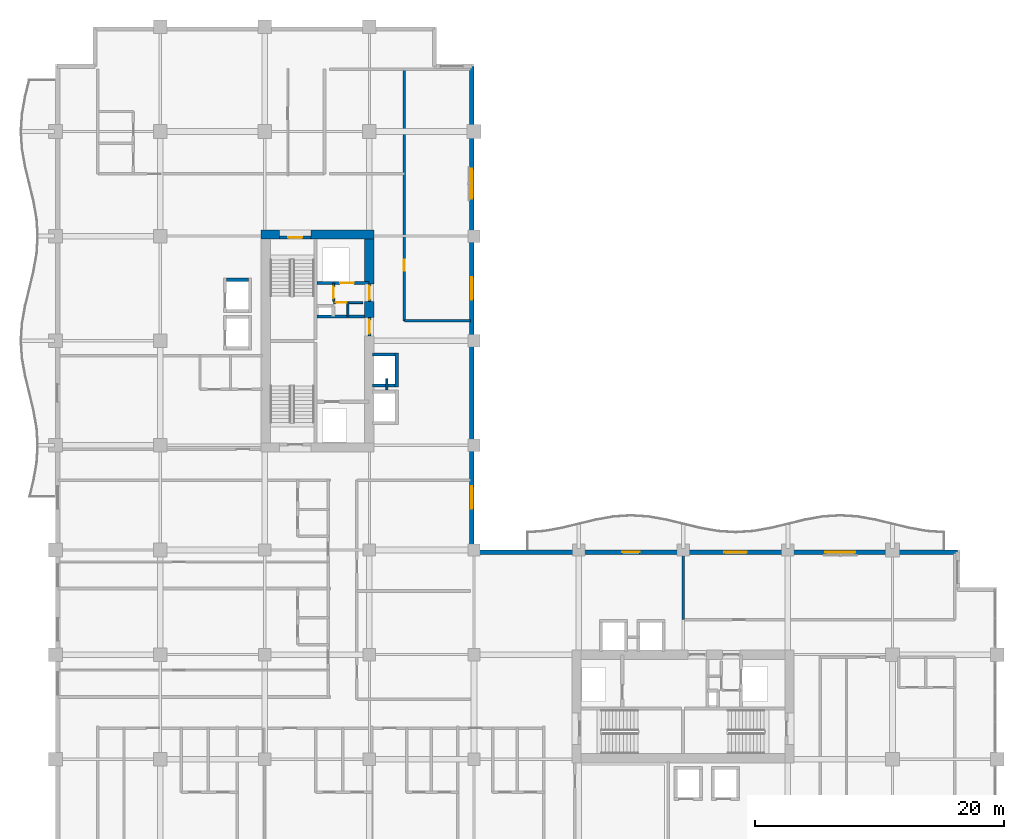
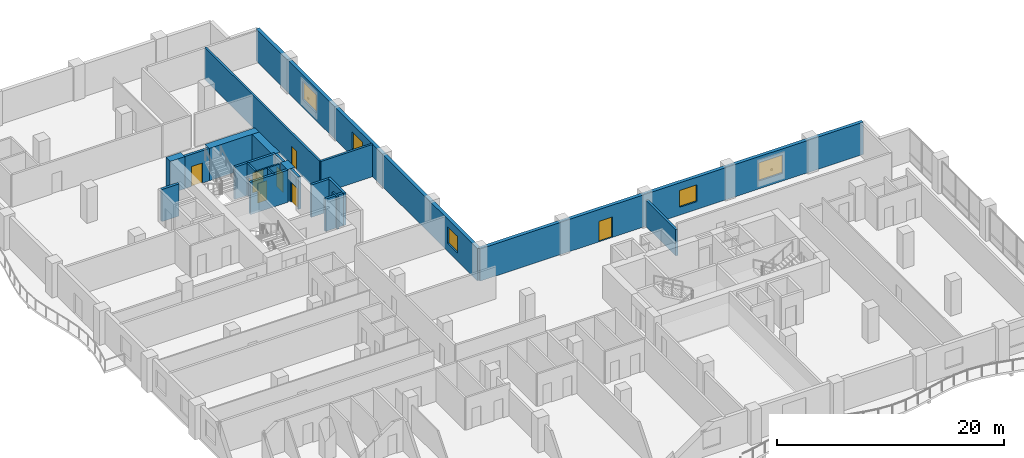
# One storey, part 14 of 22: 22 walls, 8 doors, 5 windows, 13 openings.
"""IFC4 building model written with IfcOpenShell, lengths in metres."""

from ifc_helpers import new_model, si_unit, direction, frame, frame_2d, origin, place, context, subcontext, project, spatial, rectangle, extrude, material, layer, layer_set, type_object, element, fill, save


model = new_model("IFC4")

# Units and contexts
model_context = context("Model", 3, precision=1e-05, world=origin(), true_north=direction((0.0, 1.0)))
body_context = subcontext(model_context, "Body", "Model", "MODEL_VIEW")
ifc_project = project(units=[si_unit("LENGTHUNIT", "METRE"), si_unit("AREAUNIT", "SQUARE_METRE"), si_unit("VOLUMEUNIT", "CUBIC_METRE"), si_unit("PLANEANGLEUNIT", "RADIAN"), si_unit("MASSUNIT", "GRAM", prefix="KILO")], contexts=[model_context])

# Site, building, storey
site_placement = place(None, origin())
site = spatial("IfcSite", under=ifc_project, at=site_placement, CompositionType="ELEMENT")
building_placement = place(site_placement, origin())
building = spatial("IfcBuilding", under=site, at=building_placement, Name="Koriwani Terraces Tower", CompositionType="ELEMENT")
storey_placement = place(building_placement, frame((0.0, 0.0, 182.800048828125)))
storey = spatial("IfcBuildingStorey", under=building, at=storey_placement, Name="L44", CompositionType="ELEMENT", Elevation=182.800048828125)

# Walls
ifc_material_1 = material(Name="Concrete C60/75", Category="concrete")
ifc_layer_1 = layer(ifc_material_1, 0.75, Name="Concrete C60/75")
ifc_layer_set_1 = layer_set([ifc_layer_1], Name="Concrete C60/75")
wall_type_1 = type_object("IfcWallType", Name="WALL_CORE_RC_750", PredefinedType="SHEAR", material=ifc_layer_set_1)
wall_1_placement = place(storey_placement, frame((16.5, 58.925048828125, 0.0), z_axis=(0.0, 0.0, 1.0), x_axis=(1.0, 0.0, 0.0)))
element("IfcWall", 1, at=wall_1_placement, inside=storey, type_object=wall_type_1, Name="L44 West Split Core Shear Wall N1", PredefinedType="SHEAR", context=body_context, shape_type="SweptSolid", body=[
    extrude(rectangle(XDim=1.5, YDim=0.75, at=frame_2d((0.75, 0.0))), origin(), (0.0, 0.0, 1.0), 3.469970703125),
])
wall_2_placement = place(storey_placement, frame((20.5, 58.925048828125, 0.0), z_axis=(0.0, 0.0, 1.0), x_axis=(1.0, 0.0, 0.0)))
element("IfcWall", 2, at=wall_2_placement, inside=storey, type_object=wall_type_1, Name="L44 West Split Core Shear Wall N2", PredefinedType="SHEAR", context=body_context, shape_type="SweptSolid", body=[
    extrude(rectangle(XDim=5.074951171875, YDim=0.75, at=frame_2d((2.53759765625, 0.0))), origin(), (0.0, 0.0, 1.0), 3.469970703125),
])
wall_3_placement = place(storey_placement, frame((25.199951171875, 52.280029296875, 0.0), z_axis=(0.0, 0.0, 1.0), x_axis=(0.0, 1.0, 0.0)))
element("IfcWall", 3, at=wall_3_placement, inside=storey, type_object=wall_type_1, Name="L44 West Split Core Shear Wall E2", PredefinedType="SHEAR", context=body_context, shape_type="SweptSolid", body=[
    extrude(rectangle(XDim=1.27001953125, YDim=0.75, at=frame_2d((0.635009765625, 0.0))), origin(), (0.0, 0.0, 1.0), 3.469970703125),
])
wall_4_placement = place(storey_placement, frame((25.199951171875, 54.949951171875, 0.0), z_axis=(0.0, 0.0, 1.0), x_axis=(0.0, 1.0, 0.0)))
element("IfcWall", 4, at=wall_4_placement, inside=storey, type_object=wall_type_1, Name="L44 West Split Core Shear Wall E3", PredefinedType="SHEAR", context=body_context, shape_type="SweptSolid", body=[
    extrude(rectangle(XDim=3.60009765625, YDim=0.75, at=frame_2d((1.800048828125, 0.0))), origin(), (0.0, 0.0, 1.0), 3.469970703125),
])

# Wall, opening, door
ifc_material_2 = material(Name="Autoclaved Cellular Concrete Blockwork", Category="masonry")
ifc_layer_2 = layer(ifc_material_2, 0.199951171875, Name="Autoclaved Cellular Concrete Blockwork")
ifc_layer_set_2 = layer_set([ifc_layer_2], Name="Autoclaved Cellular Concrete Blockwork")
wall_type_2 = type_object("IfcWallType", Name="WALL_CORRIDOR_200", PredefinedType="PARTITIONING", material=ifc_layer_set_2)
wall_5_placement = place(storey_placement, frame((28.0, 52.0, 0.0), z_axis=(0.0, 0.0, 1.0), x_axis=(0.0, 1.0, 0.0)))
wall_5 = element("IfcWall", 5, at=wall_5_placement, inside=storey, type_object=wall_type_2, Name="L44 Interior Wall WNWT2-W-L44", PredefinedType="PARTITIONING", context=body_context, shape_type="SweptSolid", body=[
    extrude(rectangle(XDim=20.199951171875, YDim=0.199951171875, at=frame_2d((10.10009765625, 0.0))), origin(), (0.0, 0.0, 1.0), 3.469970703125),
])
opening_1_placement = place(wall_5_placement, frame((4.0, 0.0, 0.0)))
opening_1 = element("IfcOpeningElement", 6, at=opening_1_placement, cuts=wall_5, Name="Opening D-06", PredefinedType="OPENING", context=body_context, shape_type="SweptSolid", body=[
    extrude(rectangle(XDim=0.919921875, YDim=2.10009765625, at=frame_2d((0.4599609375, 1.050048828125))), frame((0.0, 0.10986328125, 0.0), z_axis=(0.0, -1.0, 0.0), x_axis=(1.0, 0.0, 0.0)), (0.0, 0.0, 1.0), 0.219970703125),
])
ifc_material_3 = material(Name="Architectural Oak Fire Door", Category="wood")
door_type_1 = type_object("IfcDoorType", Name="DOOR_ROOM_INT_920X2100", OperationType="NOTDEFINED", PredefinedType="DOOR", material=ifc_material_3)
door_1_placement = place(opening_1_placement, origin())
door_1 = element("IfcDoor", 7, at=door_1_placement, inside=storey, type_object=door_type_1, Name="L44 North Court Lounge Door", OperationType="SINGLE_SWING_RIGHT", OverallHeight=2.10009765625, OverallWidth=0.919921875, PredefinedType="DOOR", context=body_context, shape_type="SweptSolid", body=[
    extrude(rectangle(XDim=0.919921875, YDim=2.10009765625, at=frame_2d((0.4599609375, 1.050048828125))), frame((0.0, 0.02490234375, 0.0), z_axis=(0.0, -1.0, 0.0), x_axis=(1.0, 0.0, 0.0)), (0.0, 0.0, 1.0), 0.050048828125),
])
fill(opening_1, door_1)

# Walls
ifc_layer_3 = layer(ifc_material_2, 0.219970703125, Name="Autoclaved Cellular Concrete Blockwork")
ifc_layer_set_3 = layer_set([ifc_layer_3], Name="Autoclaved Cellular Concrete Blockwork")
wall_type_3 = type_object("IfcWallType", Name="WALL_DEMISING_220", PredefinedType="PARTITIONING", material=ifc_layer_set_3)
wall_6_placement = place(storey_placement, frame((28.0, 52.0, 0.0), z_axis=(0.0, 0.0, 1.0), x_axis=(1.0, 0.0, 0.0)))
element("IfcWall", 8, at=wall_6_placement, inside=storey, type_object=wall_type_3, Name="L44 Interior Wall WNWT2-S-L44", PredefinedType="PARTITIONING", context=body_context, shape_type="SweptSolid", body=[
    extrude(rectangle(XDim=5.300048828125, YDim=0.219970703125, at=frame_2d((2.64990234375, 0.0))), origin(), (0.0, 0.0, 1.0), 3.469970703125),
])
wall_7_placement = place(storey_placement, frame((50.39990234375, 28.0, 0.0), z_axis=(0.0, 0.0, 1.0), x_axis=(0.0, 1.0, 0.0)))
element("IfcWall", 9, at=wall_7_placement, inside=storey, type_object=wall_type_3, Name="L44 Interior Wall WSEC-W-L44", PredefinedType="PARTITIONING", context=body_context, shape_type="SweptSolid", body=[
    extrude(rectangle(XDim=5.300048828125, YDim=0.219970703125, at=frame_2d((2.64990234375, 0.0))), origin(), (0.0, 0.0, 1.0), 2.820068359375),
])

# Wall, openings, windows
ifc_material_4 = material(Name="Concrete C50/60", Category="concrete")
ifc_layer_4 = layer(ifc_material_4, 0.35009765625, Name="Concrete C50/60")
ifc_layer_set_4 = layer_set([ifc_layer_4], Name="Concrete C50/60")
wall_type_4 = type_object("IfcWallType", Name="WALL_EXT_BRUTALIST_350", PredefinedType="STANDARD", material=ifc_layer_set_4)
wall_8_placement = place(storey_placement, frame((33.425048828125, 72.425048828125, 0.0), z_axis=(0.0, 0.0, 1.0), x_axis=(0.0, -1.0, 0.0)))
wall_8 = element("IfcWall", 10, at=wall_8_placement, inside=storey, type_object=wall_type_4, Name="L44 Fair-Faced Brutalist Exterior Wall (NW_IN)", PredefinedType="STANDARD", context=body_context, shape_type="SweptSolid", body=[
    extrude(rectangle(XDim=39.0, YDim=0.35009765625, at=frame_2d((19.5, 0.0))), origin(), (0.0, 0.0, 1.0), 3.469970703125),
])
opening_2_placement = place(wall_8_placement, frame((33.72509765625, 0.0, 0.85009765625)))
opening_2 = element("IfcOpeningElement", 11, at=opening_2_placement, cuts=wall_8, Name="Opening W-04", PredefinedType="OPENING", context=body_context, shape_type="SweptSolid", body=[
    extrude(rectangle(XDim=1.800048828125, YDim=1.800048828125, at=frame_2d((0.89990234375, 0.89990234375))), frame((0.0, 0.18505859375, 0.0), z_axis=(0.0, -1.0, 0.0), x_axis=(1.0, 0.0, 0.0)), (0.0, 0.0, 1.0), 0.3701171875),
])
opening_3_placement = place(wall_8_placement, frame((16.925048828125, 0.0, 0.85009765625)))
opening_3 = element("IfcOpeningElement", 12, at=opening_3_placement, cuts=wall_8, Name="Opening W-04", PredefinedType="OPENING", context=body_context, shape_type="SweptSolid", body=[
    extrude(rectangle(XDim=1.800048828125, YDim=1.800048828125, at=frame_2d((0.89990234375, 0.89990234375))), frame((0.0, 0.18505859375, 0.0), z_axis=(0.0, -1.0, 0.0), x_axis=(1.0, 0.0, 0.0)), (0.0, 0.0, 1.0), 0.3701171875),
])
opening_4_placement = place(wall_8_placement, frame((8.22509765625, 0.0, 0.85009765625)))
opening_4 = element("IfcOpeningElement", 13, at=opening_4_placement, cuts=wall_8, Name="Opening W-03", PredefinedType="OPENING", context=body_context, shape_type="SweptSolid", body=[
    extrude(rectangle(XDim=2.39990234375, YDim=1.949951171875, at=frame_2d((1.199951171875, 0.97509765625))), frame((0.0, 0.18505859375, 0.0), z_axis=(0.0, -1.0, 0.0), x_axis=(1.0, 0.0, 0.0)), (0.0, 0.0, 1.0), 0.3701171875),
])
ifc_material_5 = material(Name="Tempered Laminated Low-E Glass", Category="glass")
window_type_1 = type_object("IfcWindowType", Name="WIN_RES_BED_1800X1800", PartitioningType="DOUBLE_PANEL_VERTICAL", PredefinedType="WINDOW", material=ifc_material_5)
window_1_placement = place(opening_2_placement, origin())
window_1 = element("IfcWindow", 14, at=window_1_placement, inside=storey, type_object=window_type_1, Name="L44 Exterior Window (NW_IN-2)", OverallHeight=1.800048828125, OverallWidth=1.800048828125, PartitioningType="SINGLE_PANEL", PredefinedType="WINDOW", context=body_context, shape_type="SweptSolid", body=[
    extrude(rectangle(XDim=1.800048828125, YDim=1.800048828125, at=frame_2d((0.89990234375, 0.89990234375))), frame((0.0, 0.030029296875, 0.0), z_axis=(0.0, -1.0, 0.0), x_axis=(1.0, 0.0, 0.0)), (0.0, 0.0, 1.0), 0.06005859375),
])
fill(opening_2, window_1)
window_2_placement = place(opening_3_placement, origin())
window_2 = element("IfcWindow", 15, at=window_2_placement, inside=storey, type_object=window_type_1, Name="L44 Exterior Window (NW_IN-8)", OverallHeight=1.800048828125, OverallWidth=1.800048828125, PartitioningType="SINGLE_PANEL", PredefinedType="WINDOW", context=body_context, shape_type="SweptSolid", body=[
    extrude(rectangle(XDim=1.800048828125, YDim=1.800048828125, at=frame_2d((0.89990234375, 0.89990234375))), frame((0.0, 0.030029296875, 0.0), z_axis=(0.0, -1.0, 0.0), x_axis=(1.0, 0.0, 0.0)), (0.0, 0.0, 1.0), 0.06005859375),
])
fill(opening_3, window_2)
window_type_2 = type_object("IfcWindowType", Name="WIN_RES_LIVING_2400X1950", PartitioningType="DOUBLE_PANEL_VERTICAL", PredefinedType="WINDOW", material=ifc_material_5)
window_3_placement = place(opening_4_placement, origin())
window_3 = element("IfcWindow", 16, at=window_3_placement, inside=storey, type_object=window_type_2, Name="L44 Exterior Window (NW_IN-11)", OverallHeight=1.949951171875, OverallWidth=2.39990234375, PartitioningType="SINGLE_PANEL", PredefinedType="WINDOW", context=body_context, shape_type="SweptSolid", body=[
    extrude(rectangle(XDim=2.39990234375, YDim=1.949951171875, at=frame_2d((1.199951171875, 0.97509765625))), frame((0.0, 0.030029296875, 0.0), z_axis=(0.0, -1.0, 0.0), x_axis=(1.0, 0.0, 0.0)), (0.0, 0.0, 1.0), 0.06005859375),
])
fill(opening_4, window_3)

# Wall, openings, door, windows
wall_9_placement = place(storey_placement, frame((33.425048828125, 33.425048828125, 0.0), z_axis=(0.0, 0.0, 1.0), x_axis=(1.0, 0.0, 0.0)))
wall_9 = element("IfcWall", 17, at=wall_9_placement, inside=storey, type_object=wall_type_4, Name="L44 Fair-Faced Brutalist Exterior Wall (NE)", PredefinedType="STANDARD", context=body_context, shape_type="SweptSolid", body=[
    extrude(rectangle(XDim=39.0, YDim=0.35009765625, at=frame_2d((19.5, 0.0))), origin(), (0.0, 0.0, 1.0), 3.469970703125),
])
opening_5_placement = place(wall_9_placement, frame((12.074951171875, 0.0, 0.0)))
opening_5 = element("IfcOpeningElement", 18, at=opening_5_placement, cuts=wall_9, Name="Opening D-09", PredefinedType="OPENING", context=body_context, shape_type="SweptSolid", body=[
    extrude(rectangle(XDim=1.39990234375, YDim=2.199951171875, at=frame_2d((0.699951171875, 1.10009765625))), frame((0.0, 0.18505859375, 0.0), z_axis=(0.0, -1.0, 0.0), x_axis=(1.0, 0.0, 0.0)), (0.0, 0.0, 1.0), 0.3701171875),
])
opening_6_placement = place(wall_9_placement, frame((20.27490234375, 0.0, 0.85009765625)))
opening_6 = element("IfcOpeningElement", 19, at=opening_6_placement, cuts=wall_9, Name="Opening W-04", PredefinedType="OPENING", context=body_context, shape_type="SweptSolid", body=[
    extrude(rectangle(XDim=1.800048828125, YDim=1.800048828125, at=frame_2d((0.89990234375, 0.89990234375))), frame((0.0, 0.18505859375, 0.0), z_axis=(0.0, -1.0, 0.0), x_axis=(1.0, 0.0, 0.0)), (0.0, 0.0, 1.0), 0.3701171875),
])
opening_7_placement = place(wall_9_placement, frame((28.375, 0.0, 0.85009765625)))
opening_7 = element("IfcOpeningElement", 20, at=opening_7_placement, cuts=wall_9, Name="Opening W-03", PredefinedType="OPENING", context=body_context, shape_type="SweptSolid", body=[
    extrude(rectangle(XDim=2.39990234375, YDim=1.949951171875, at=frame_2d((1.199951171875, 0.97509765625))), frame((0.0, 0.18505859375, 0.0), z_axis=(0.0, -1.0, 0.0), x_axis=(1.0, 0.0, 0.0)), (0.0, 0.0, 1.0), 0.3701171875),
])
ifc_material_6 = material(Name="Anodised Bronze Aluminium", Category="aluminium")
door_type_2 = type_object("IfcDoorType", Name="DOOR_BALCONY_GLAZED_1400X2200", OperationType="NOTDEFINED", PredefinedType="DOOR", material=ifc_material_6)
door_2_placement = place(opening_5_placement, origin())
door_2 = element("IfcDoor", 21, at=door_2_placement, inside=storey, type_object=door_type_2, Name="L44 Inner Court Balcony Glazed Door", OperationType="SINGLE_SWING_LEFT", OverallHeight=2.199951171875, OverallWidth=1.39990234375, PredefinedType="DOOR", context=body_context, shape_type="SweptSolid", body=[
    extrude(rectangle(XDim=1.39990234375, YDim=2.199951171875, at=frame_2d((0.699951171875, 1.10009765625))), frame((0.0, 0.02490234375, 0.0), z_axis=(0.0, -1.0, 0.0), x_axis=(1.0, 0.0, 0.0)), (0.0, 0.0, 1.0), 0.050048828125),
])
fill(opening_5, door_2)
window_4_placement = place(opening_6_placement, origin())
window_4 = element("IfcWindow", 22, at=window_4_placement, inside=storey, type_object=window_type_1, Name="L44 Exterior Window (NE-8)", OverallHeight=1.800048828125, OverallWidth=1.800048828125, PartitioningType="SINGLE_PANEL", PredefinedType="WINDOW", context=body_context, shape_type="SweptSolid", body=[
    extrude(rectangle(XDim=1.800048828125, YDim=1.800048828125, at=frame_2d((0.89990234375, 0.89990234375))), frame((0.0, 0.030029296875, 0.0), z_axis=(0.0, -1.0, 0.0), x_axis=(1.0, 0.0, 0.0)), (0.0, 0.0, 1.0), 0.06005859375),
])
fill(opening_6, window_4)
window_5_placement = place(opening_7_placement, origin())
window_5 = element("IfcWindow", 23, at=window_5_placement, inside=storey, type_object=window_type_2, Name="L44 Exterior Window (NE-11)", OverallHeight=1.949951171875, OverallWidth=2.39990234375, PartitioningType="SINGLE_PANEL", PredefinedType="WINDOW", context=body_context, shape_type="SweptSolid", body=[
    extrude(rectangle(XDim=2.39990234375, YDim=1.949951171875, at=frame_2d((1.199951171875, 0.97509765625))), frame((0.0, 0.030029296875, 0.0), z_axis=(0.0, -1.0, 0.0), x_axis=(1.0, 0.0, 0.0)), (0.0, 0.0, 1.0), 0.06005859375),
])
fill(opening_7, window_5)

# Wall, opening, door
ifc_material_7 = material(Name="Concrete C40/50", Category="concrete")
ifc_layer_5 = layer(ifc_material_7, 0.25, Name="Concrete C40/50")
ifc_layer_set_5 = layer_set([ifc_layer_5], Name="Concrete C40/50")
wall_type_5 = type_object("IfcWallType", Name="WALL_SHAFT_RATED_250", PredefinedType="SOLIDWALL", material=ifc_layer_set_5)
wall_10_placement = place(storey_placement, frame((18.0, 58.675048828125, 0.0), z_axis=(0.0, 0.0, 1.0), x_axis=(1.0, 0.0, 0.0)))
wall_10 = element("IfcWall", 24, at=wall_10_placement, inside=storey, type_object=wall_type_5, Name="L44 Interior Wall WIN-CW-L44-STN", PredefinedType="SOLIDWALL", context=body_context, shape_type="SweptSolid", body=[
    extrude(rectangle(XDim=2.5, YDim=0.25, at=frame_2d((1.25, 0.0))), origin(), (0.0, 0.0, 1.0), 3.469970703125),
])
opening_8_placement = place(wall_10_placement, frame((0.699951171875, 0.0, 0.0)))
opening_8 = element("IfcOpeningElement", 25, at=opening_8_placement, cuts=wall_10, Name="Opening D-03", PredefinedType="OPENING", context=body_context, shape_type="SweptSolid", body=[
    extrude(rectangle(XDim=1.10009765625, YDim=2.14990234375, at=frame_2d((0.550048828125, 1.074951171875))), frame((0.0, 0.135009765625, 0.0), z_axis=(0.0, -1.0, 0.0), x_axis=(1.0, 0.0, 0.0)), (0.0, 0.0, 1.0), 0.27001953125),
])
ifc_material_8 = material(Name="Steel ASTM A572 Grade 50", Category="steel")
door_type_3 = type_object("IfcDoorType", Name="DOOR_STAIR_FIRE_1100X2150", OperationType="NOTDEFINED", PredefinedType="DOOR", material=ifc_material_8)
door_3_placement = place(opening_8_placement, origin())
door_3 = element("IfcDoor", 26, at=door_3_placement, inside=storey, type_object=door_type_3, Name="L44 Exit Stair ST-W2 Door", OperationType="SINGLE_SWING_LEFT", OverallHeight=2.14990234375, OverallWidth=1.10009765625, PredefinedType="DOOR", context=body_context, shape_type="SweptSolid", body=[
    extrude(rectangle(XDim=1.10009765625, YDim=2.14990234375, at=frame_2d((0.550048828125, 1.074951171875))), frame((0.0, 0.02490234375, 0.0), z_axis=(0.0, -1.0, 0.0), x_axis=(1.0, 0.0, 0.0)), (0.0, 0.0, 1.0), 0.050048828125),
])
fill(opening_8, door_3)

wall_11_placement = place(storey_placement, frame((25.199951171875, 50.800048828125, 0.0), z_axis=(0.0, 0.0, 1.0), x_axis=(0.0, 1.0, 0.0)))
wall_11 = element("IfcWall", 27, at=wall_11_placement, inside=storey, type_object=wall_type_5, Name="L44 Interior Wall WIN-CW-L44-EP", PredefinedType="SOLIDWALL", context=body_context, shape_type="SweptSolid", body=[
    extrude(rectangle(XDim=1.47998046875, YDim=0.25, at=frame_2d((0.739990234375, 0.0))), origin(), (0.0, 0.0, 1.0), 3.469970703125),
])
opening_9_placement = place(wall_11_placement, frame((0.179931640625, 0.0, 0.0)))
opening_9 = element("IfcOpeningElement", 28, at=opening_9_placement, cuts=wall_11, Name="Opening D-03", PredefinedType="OPENING", context=body_context, shape_type="SweptSolid", body=[
    extrude(rectangle(XDim=1.10009765625, YDim=2.14990234375, at=frame_2d((0.550048828125, 1.074951171875))), frame((0.0, 0.135009765625, 0.0), z_axis=(0.0, -1.0, 0.0), x_axis=(1.0, 0.0, 0.0)), (0.0, 0.0, 1.0), 0.27001953125),
])
door_4_placement = place(opening_9_placement, origin())
door_4 = element("IfcDoor", 29, at=door_4_placement, inside=storey, type_object=door_type_3, Name="L44 West Firefighting Lobby Door", OperationType="SINGLE_SWING_RIGHT", OverallHeight=2.14990234375, OverallWidth=1.10009765625, PredefinedType="DOOR", context=body_context, shape_type="SweptSolid", body=[
    extrude(rectangle(XDim=1.10009765625, YDim=2.14990234375, at=frame_2d((0.550048828125, 1.074951171875))), frame((0.0, 0.02490234375, 0.0), z_axis=(0.0, -1.0, 0.0), x_axis=(1.0, 0.0, 0.0)), (0.0, 0.0, 1.0), 0.050048828125),
])
fill(opening_9, door_4)

# Wall
wall_12_placement = place(storey_placement, frame((21.0, 52.340087890625, 0.0), z_axis=(0.0, 0.0, 1.0), x_axis=(1.0, 0.0, 0.0)))
element("IfcWall", 30, at=wall_12_placement, inside=storey, type_object=wall_type_5, Name="L44 Interior Wall WIN-CW-L44-FFN", PredefinedType="SOLIDWALL", context=body_context, shape_type="SweptSolid", body=[
    extrude(rectangle(XDim=3.824951171875, YDim=0.25, at=frame_2d((1.91259765625, 0.0))), origin(), (0.0, 0.0, 1.0), 3.469970703125),
])

# Wall, opening, door
wall_13_placement = place(storey_placement, frame((21.0, 55.050048828125, 0.0), z_axis=(0.0, 0.0, 1.0), x_axis=(1.0, 0.0, 0.0)))
wall_13 = element("IfcWall", 31, at=wall_13_placement, inside=storey, type_object=wall_type_5, Name="L44 Interior Wall WIN-CW-L44-SE", PredefinedType="SOLIDWALL", context=body_context, shape_type="SweptSolid", body=[
    extrude(rectangle(XDim=4.14990234375, YDim=0.25, at=frame_2d((2.074951171875, 0.0))), origin(), (0.0, 0.0, 1.0), 3.469970703125),
])
opening_10_placement = place(wall_13_placement, frame((1.85009765625, 0.0, 0.0)))
opening_10 = element("IfcOpeningElement", 32, at=opening_10_placement, cuts=wall_13, Name="Opening LD-01", PredefinedType="OPENING", context=body_context, shape_type="SweptSolid", body=[
    extrude(rectangle(XDim=1.10009765625, YDim=2.14990234375, at=frame_2d((0.550048828125, 1.074951171875))), frame((0.0, 0.135009765625, 0.0), z_axis=(0.0, -1.0, 0.0), x_axis=(1.0, 0.0, 0.0)), (0.0, 0.0, 1.0), 0.27001953125),
])
door_type_4 = type_object("IfcDoorType", Name="DOOR_LIFT_LANDING_1100X2200", OperationType="NOTDEFINED", PredefinedType="DOOR", material=ifc_material_8)
door_5_placement = place(opening_10_placement, origin())
door_5 = element("IfcDoor", 33, at=door_5_placement, inside=storey, type_object=door_type_4, Name="L44 Goods Lift SE-01 Landing Door", OperationType="SLIDING_TO_LEFT", OverallHeight=2.14990234375, OverallWidth=1.10009765625, PredefinedType="DOOR", context=body_context, shape_type="SweptSolid", body=[
    extrude(rectangle(XDim=1.10009765625, YDim=2.14990234375, at=frame_2d((0.550048828125, 1.074951171875))), frame((0.0, 0.02490234375, 0.0), z_axis=(0.0, -1.0, 0.0), x_axis=(1.0, 0.0, 0.0)), (0.0, 0.0, 1.0), 0.050048828125),
])
fill(opening_10, door_5)

wall_14_placement = place(storey_placement, frame((25.199951171875, 53.550048828125, 0.0), z_axis=(0.0, 0.0, 1.0), x_axis=(0.0, 1.0, 0.0)))
wall_14 = element("IfcWall", 34, at=wall_14_placement, inside=storey, type_object=wall_type_5, Name="L44 Interior Wall WIN-CW-L44-EP2", PredefinedType="SOLIDWALL", context=body_context, shape_type="SweptSolid", body=[
    extrude(rectangle(XDim=1.39990234375, YDim=0.25, at=frame_2d((0.699951171875, 0.0))), origin(), (0.0, 0.0, 1.0), 3.469970703125),
])
opening_11_placement = place(wall_14_placement, frame((0.14990234375, 0.0, 0.0)))
opening_11 = element("IfcOpeningElement", 35, at=opening_11_placement, cuts=wall_14, Name="Opening D-03", PredefinedType="OPENING", context=body_context, shape_type="SweptSolid", body=[
    extrude(rectangle(XDim=1.10009765625, YDim=2.14990234375, at=frame_2d((0.550048828125, 1.074951171875))), frame((0.0, 0.135009765625, 0.0), z_axis=(0.0, -1.0, 0.0), x_axis=(1.0, 0.0, 0.0)), (0.0, 0.0, 1.0), 0.27001953125),
])
door_6_placement = place(opening_11_placement, origin())
door_6 = element("IfcDoor", 36, at=door_6_placement, inside=storey, type_object=door_type_3, Name="L44 West Goods Lift Lobby Door", OperationType="SINGLE_SWING_LEFT", OverallHeight=2.14990234375, OverallWidth=1.10009765625, PredefinedType="DOOR", context=body_context, shape_type="SweptSolid", body=[
    extrude(rectangle(XDim=1.10009765625, YDim=2.14990234375, at=frame_2d((0.550048828125, 1.074951171875))), frame((0.0, 0.02490234375, 0.0), z_axis=(0.0, -1.0, 0.0), x_axis=(1.0, 0.0, 0.0)), (0.0, 0.0, 1.0), 0.050048828125),
])
fill(opening_11, door_6)

# Walls
wall_15_placement = place(storey_placement, frame((13.72509765625, 55.300048828125, 0.0), z_axis=(0.0, 0.0, 1.0), x_axis=(1.0, 0.0, 0.0)))
element("IfcWall", 37, at=wall_15_placement, inside=storey, type_object=wall_type_5, Name="L44 Interior Wall WIN-LF-PE-M2-L44-N", PredefinedType="SOLIDWALL", context=body_context, shape_type="SweptSolid", body=[
    extrude(rectangle(XDim=1.75, YDim=0.25, at=frame_2d((0.875, 0.0))), origin(), (0.0, 0.0, 1.0), 3.469970703125),
])
wall_16_placement = place(storey_placement, frame((27.39990234375, 46.675048828125, 0.0), z_axis=(0.0, 0.0, 1.0), x_axis=(0.0, 1.0, 0.0)))
element("IfcWall", 38, at=wall_16_placement, inside=storey, type_object=wall_type_5, Name="L44 Interior Wall WIN-LF-PE-H2-L44-F", PredefinedType="SOLIDWALL", context=body_context, shape_type="SweptSolid", body=[
    extrude(rectangle(XDim=2.75, YDim=0.25, at=frame_2d((1.375, 0.0))), origin(), (0.0, 0.0, 1.0), 3.469970703125),
])
for number, where, z_axis, x_axis, name in (
    (39, (25.449951171875, 46.800048828125, 0.0), (0.0, 0.0, 1.0), (1.0, 0.0, 0.0), "L44 Interior Wall WIN-LF-PE-H2-L44-S"),
    (40, (25.449951171875, 49.300048828125, 0.0), (0.0, 0.0, 1.0), (1.0, 0.0, 0.0), "L44 Interior Wall WIN-LF-PE-H2-L44-N"),
):
    element("IfcWall", number, at=place(storey_placement, frame(where, z_axis=z_axis, x_axis=x_axis)), inside=storey, type_object=wall_type_5, Name=name, PredefinedType="SOLIDWALL", context=body_context, shape_type="SweptSolid", body=[
        extrude(rectangle(XDim=1.824951171875, YDim=0.25, at=frame_2d((0.91259765625, 0.0))), origin(), (0.0, 0.0, 1.0), 3.469970703125),
    ])

# Wall, opening, door
ifc_material_9 = material(Name="Fire-Rated Acoustic Gypsum Partition", Category="masonry")
ifc_layer_6 = layer(ifc_material_9, 0.159912109375, Name="Fire-Rated Acoustic Gypsum Partition")
ifc_layer_set_6 = layer_set([ifc_layer_6], Name="Fire-Rated Acoustic Gypsum Partition")
wall_type_6 = type_object("IfcWallType", Name="WALL_SUITE_160", PredefinedType="PARTITIONING", material=ifc_layer_set_6)
wall_17_placement = place(storey_placement, frame((22.320068359375, 53.56005859375, 0.0), z_axis=(0.0, 0.0, 1.0), x_axis=(0.0, 1.0, 0.0)))
wall_17 = element("IfcWall", 41, at=wall_17_placement, inside=storey, type_object=wall_type_6, Name="L44 Interior Wall WIN-CW-L44-SV2A", PredefinedType="PARTITIONING", context=body_context, shape_type="SweptSolid", body=[
    extrude(rectangle(XDim=1.43994140625, YDim=0.159912109375, at=frame_2d((0.719970703125, 0.0))), origin(), (0.0, 0.0, 1.0), 3.469970703125),
])
opening_12_placement = place(wall_17_placement, frame((0.260009765625, 0.0, 0.0)))
opening_12 = element("IfcOpeningElement", 42, at=opening_12_placement, cuts=wall_17, Name="Opening D-07", PredefinedType="OPENING", context=body_context, shape_type="SweptSolid", body=[
    extrude(rectangle(XDim=0.89990234375, YDim=2.10009765625, at=frame_2d((0.449951171875, 1.050048828125))), frame((0.0, 0.08984375, 0.0), z_axis=(0.0, -1.0, 0.0), x_axis=(1.0, 0.0, 0.0)), (0.0, 0.0, 1.0), 0.179931640625),
])
door_type_5 = type_object("IfcDoorType", Name="DOOR_BATH_INT_900X2100", OperationType="NOTDEFINED", PredefinedType="DOOR", material=ifc_material_3)
door_7_placement = place(opening_12_placement, origin())
door_7 = element("IfcDoor", 43, at=door_7_placement, inside=storey, type_object=door_type_5, Name="L44 West Meter Room Door", OperationType="SINGLE_SWING_RIGHT", OverallHeight=2.10009765625, OverallWidth=0.89990234375, PredefinedType="DOOR", context=body_context, shape_type="SweptSolid", body=[
    extrude(rectangle(XDim=0.89990234375, YDim=2.10009765625, at=frame_2d((0.449951171875, 1.050048828125))), frame((0.0, 0.02490234375, 0.0), z_axis=(0.0, -1.0, 0.0), x_axis=(1.0, 0.0, 0.0)), (0.0, 0.0, 1.0), 0.050048828125),
])
fill(opening_12, door_7)

wall_18_placement = place(storey_placement, frame((22.320068359375, 53.4599609375, 0.0), z_axis=(0.0, 0.0, 1.0), x_axis=(1.0, 0.0, 0.0)))
wall_18 = element("IfcWall", 44, at=wall_18_placement, inside=storey, type_object=wall_type_6, Name="L44 Interior Wall WIN-CW-L44-SV2H", PredefinedType="PARTITIONING", context=body_context, shape_type="SweptSolid", body=[
    extrude(rectangle(XDim=2.35986328125, YDim=0.159912109375, at=frame_2d((1.179931640625, 0.0))), origin(), (0.0, 0.0, 1.0), 3.469970703125),
])
opening_13_placement = place(wall_18_placement, frame((0.159912109375, 0.0, 0.0)))
opening_13 = element("IfcOpeningElement", 45, at=opening_13_placement, cuts=wall_18, Name="Opening D-07", PredefinedType="OPENING", context=body_context, shape_type="SweptSolid", body=[
    extrude(rectangle(XDim=0.89990234375, YDim=2.10009765625, at=frame_2d((0.449951171875, 1.050048828125))), frame((0.0, 0.08984375, 0.0), z_axis=(0.0, -1.0, 0.0), x_axis=(1.0, 0.0, 0.0)), (0.0, 0.0, 1.0), 0.179931640625),
])
door_8_placement = place(opening_13_placement, origin())
door_8 = element("IfcDoor", 46, at=door_8_placement, inside=storey, type_object=door_type_5, Name="L44 West Valve Room Door", OperationType="SINGLE_SWING_LEFT", OverallHeight=2.10009765625, OverallWidth=0.89990234375, PredefinedType="DOOR", context=body_context, shape_type="SweptSolid", body=[
    extrude(rectangle(XDim=0.89990234375, YDim=2.10009765625, at=frame_2d((0.449951171875, 1.050048828125))), frame((0.0, 0.02490234375, 0.0), z_axis=(0.0, -1.0, 0.0), x_axis=(1.0, 0.0, 0.0)), (0.0, 0.0, 1.0), 0.050048828125),
])
fill(opening_13, door_8)

# Walls
wall_19_placement = place(storey_placement, frame((23.47998046875, 52.360107421875, 0.0), z_axis=(0.0, 0.0, 1.0), x_axis=(0.0, 1.0, 0.0)))
element("IfcWall", 47, at=wall_19_placement, inside=storey, type_object=wall_type_6, Name="L44 Interior Wall WIN-CW-L44-SV2V", PredefinedType="PARTITIONING", context=body_context, shape_type="SweptSolid", body=[
    extrude(rectangle(XDim=1.099853515625, YDim=0.159912109375, at=frame_2d((0.5498046875, 0.0))), origin(), (0.0, 0.0, 1.0), 3.469970703125),
])
wall_20_placement = place(storey_placement, frame((26.60009765625, 46.4599609375, 0.0), z_axis=(0.0, 0.0, 1.0), x_axis=(0.0, 1.0, 0.0)))
element("IfcWall", 48, at=wall_20_placement, inside=storey, type_object=wall_type_6, Name="L44 Interior Wall WIN-LF-PEH12-MID-L44", PredefinedType="PARTITIONING", context=body_context, shape_type="SweptSolid", body=[
    extrude(rectangle(XDim=0.880126953125, YDim=0.159912109375, at=frame_2d((0.43994140625, 0.0))), origin(), (0.0, 0.0, 1.0), 3.469970703125),
])

save(model, "model.ifc")
